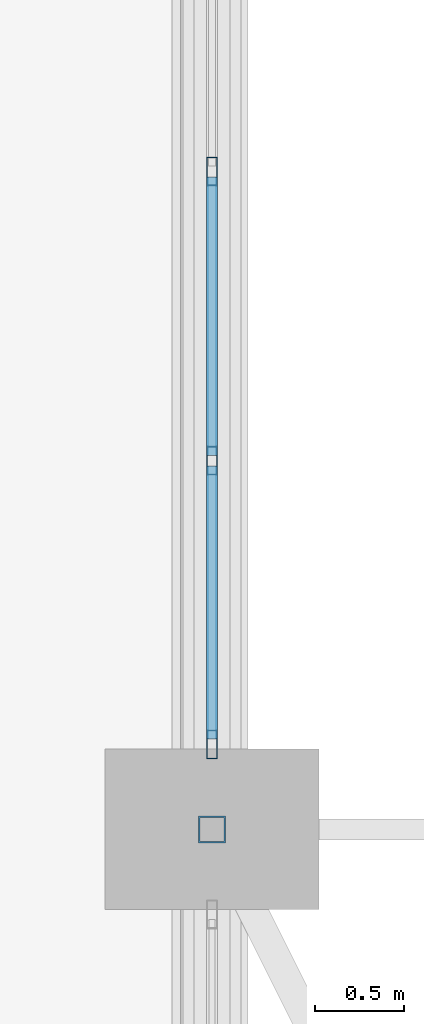
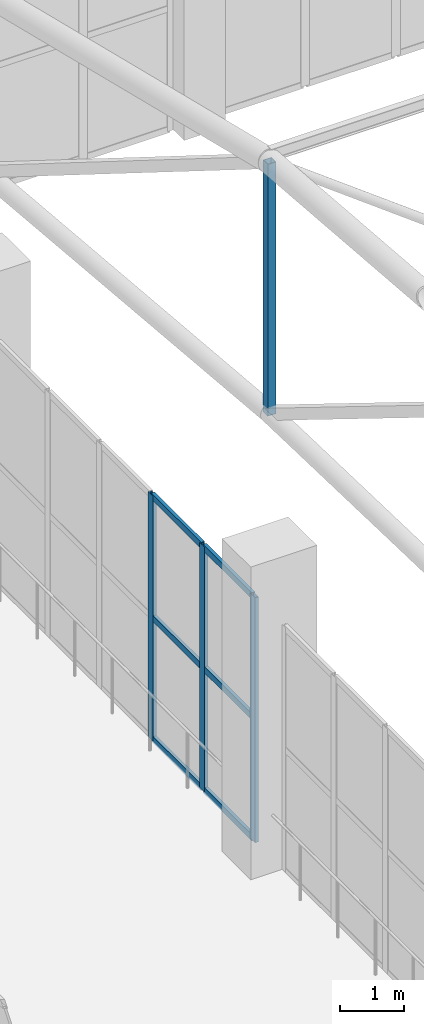
# One storey, part 119 of 223: 10 members, 1 element without a shape of its own.
"""IFC4 building model written with IfcOpenShell, lengths in metres."""

from ifc_helpers import new_model, si_unit, direction, frame, origin, origin_2d, place, context, subcontext, project, spatial, hollow_rectangle, extrude, material, layer, layer_set, material_profile, profile_set, type_object, element, aggregate, save


model = new_model("IFC4")

# Units and contexts
model_context = context("Model", 3, precision=1e-05, world=origin(), true_north=direction((0.0, 1.0)))
body_context = subcontext(model_context, "Body", "Model", "MODEL_VIEW")
ifc_project = project(units=[si_unit("LENGTHUNIT", "METRE"), si_unit("AREAUNIT", "SQUARE_METRE"), si_unit("VOLUMEUNIT", "CUBIC_METRE"), si_unit("PLANEANGLEUNIT", "RADIAN"), si_unit("MASSUNIT", "GRAM", prefix="KILO")], contexts=[model_context])

# Site, building, storey
site_placement = place(None, origin())
site = spatial("IfcSite", under=ifc_project, at=site_placement, CompositionType="ELEMENT")
building_placement = place(site_placement, origin())
building = spatial("IfcBuilding", under=site, at=building_placement, Name="Dornveld Trade and Exhibition Forum", CompositionType="ELEMENT")
storey_placement = place(building_placement, frame((0.0, 0.0, 6.0)))
storey = spatial("IfcBuildingStorey", under=building, at=storey_placement, Name="L01", CompositionType="ELEMENT", Elevation=6.0)

# Curtain wall, members
ifc_material_1 = material(Name="Dark-bronze anodised aluminium and low-E glass", Category="aluminium")
ifc_layer = layer(ifc_material_1, 0.18994140625)
ifc_layer_set = layer_set([ifc_layer], Name="Dark-bronze anodised aluminium and low-E glass")
curtain_wall_type = type_object("IfcCurtainWallType", Name="CW-SYS-16", PredefinedType="USERDEFINED", material=ifc_layer_set)
curtain_wall_placement = place(storey_placement, origin())
curtain_wall = element("IfcCurtainWall", 1, at=curtain_wall_placement, inside=storey, type_object=curtain_wall_type, Name="L01 unitised curtain wall 16", ObjectType="UNITISED_CURTAIN_WALL", PredefinedType="USERDEFINED")
ifc_material_2 = material(Name="Dark-bronze anodised aluminium", Category="aluminium")
ifc_material_profile_1 = material_profile(ifc_material_2, hollow_rectangle(XDim=0.06005859375, YDim=0.159912109375, WallThickness=0.00390625, at=origin_2d()), Name="RHS 160x60x4")
ifc_profile_set_1 = profile_set([ifc_material_profile_1], Name="Dark-bronze anodised aluminium")
member_type_1 = type_object("IfcMemberType", Name="CW-MUL-160", PredefinedType="MULLION", material=ifc_profile_set_1)
member_1_placement = place(storey_placement, frame((99.0, 147.689208984375, -0.00390625), z_axis=(0.0, 0.0, 1.0), x_axis=(1.0, 0.0, 0.0)))
member_1 = element("IfcMember", 2, at=member_1_placement, type_object=member_type_1, Name="CW-16 mullion 4", PredefinedType="MULLION", context=body_context, shape_type="SweptSolid", body=[
    extrude(hollow_rectangle(XDim=0.06005859375, YDim=0.159912109375, WallThickness=0.00390625, at=origin_2d()), origin(), (0.0, 0.0, 1.0), 4.703857421875),
])
member_2_placement = place(storey_placement, frame((99.0, 146.067626953125, -0.00390625), z_axis=(0.0, 0.0, 1.0), x_axis=(1.0, 0.0, 0.0)))
member_2 = element("IfcMember", 3, at=member_2_placement, type_object=member_type_1, Name="CW-16 mullion 5", PredefinedType="MULLION", context=body_context, shape_type="SweptSolid", body=[
    extrude(hollow_rectangle(XDim=0.06005859375, YDim=0.159912109375, WallThickness=0.00390625, at=origin_2d()), origin(), (0.0, 0.0, 1.0), 4.703857421875),
])
member_3_placement = place(storey_placement, frame((99.0, 144.47607421875, -0.00390625), z_axis=(0.0, 0.0, 1.0), x_axis=(1.0, 0.0, 0.0)))
member_3 = element("IfcMember", 4, at=member_3_placement, type_object=member_type_1, Name="CW-16 mullion 6", PredefinedType="MULLION", context=body_context, shape_type="SweptSolid", body=[
    extrude(hollow_rectangle(XDim=0.06005859375, YDim=0.159912109375, WallThickness=0.00390625, at=origin_2d()), origin(), (0.0, 0.0, 1.0), 4.703857421875),
])
ifc_material_3 = material(Name="Dark-bronze anodised aluminium", Category="aluminium")
ifc_material_profile_2 = material_profile(ifc_material_3, hollow_rectangle(XDim=0.06005859375, YDim=0.1201171875, WallThickness=0.00390625, at=origin_2d()), Name="RHS 120x60x4")
ifc_profile_set_2 = profile_set([ifc_material_profile_2], Name="Dark-bronze anodised aluminium")
member_type_2 = type_object("IfcMemberType", Name="CW-TRN-120", PredefinedType="USERDEFINED", material=ifc_profile_set_2)
member_4_placement = place(storey_placement, frame((99.0, 147.6591796875, 0.02587890625), z_axis=(0.0, -1.0, 0.0), x_axis=(1.0, 0.0, 0.0)))
member_4 = element("IfcMember", 5, at=member_4_placement, type_object=member_type_2, Name="CW-16 transom 4.1", ObjectType="TRANSOM", PredefinedType="USERDEFINED", context=body_context, shape_type="SweptSolid", body=[
    extrude(hollow_rectangle(XDim=0.06005859375, YDim=0.1201171875, WallThickness=0.00390625, at=origin_2d()), origin(), (0.0, 0.0, 1.0), 1.5615234375),
])
member_5_placement = place(storey_placement, frame((99.0, 147.6591796875, 2.347900390625), z_axis=(0.0, -1.0, 0.0), x_axis=(1.0, 0.0, 0.0)))
member_5 = element("IfcMember", 6, at=member_5_placement, type_object=member_type_2, Name="CW-16 transom 4.2", ObjectType="TRANSOM", PredefinedType="USERDEFINED", context=body_context, shape_type="SweptSolid", body=[
    extrude(hollow_rectangle(XDim=0.06005859375, YDim=0.1201171875, WallThickness=0.00390625, at=origin_2d()), origin(), (0.0, 0.0, 1.0), 1.5615234375),
])
member_6_placement = place(storey_placement, frame((99.0, 147.6591796875, 4.669921875), z_axis=(0.0, -1.0, 0.0), x_axis=(1.0, 0.0, 0.0)))
member_6 = element("IfcMember", 7, at=member_6_placement, type_object=member_type_2, Name="CW-16 transom 4.3", ObjectType="TRANSOM", PredefinedType="USERDEFINED", context=body_context, shape_type="SweptSolid", body=[
    extrude(hollow_rectangle(XDim=0.06005859375, YDim=0.1201171875, WallThickness=0.00390625, at=origin_2d()), origin(), (0.0, 0.0, 1.0), 1.5615234375),
])
member_7_placement = place(storey_placement, frame((99.0, 146.03759765625, 0.02587890625), z_axis=(0.0, -1.0, 0.0), x_axis=(1.0, 0.0, 0.0)))
member_7 = element("IfcMember", 8, at=member_7_placement, type_object=member_type_2, Name="CW-16 transom 5.1", ObjectType="TRANSOM", PredefinedType="USERDEFINED", context=body_context, shape_type="SweptSolid", body=[
    extrude(hollow_rectangle(XDim=0.06005859375, YDim=0.1201171875, WallThickness=0.00390625, at=origin_2d()), origin(), (0.0, 0.0, 1.0), 1.531494140625),
])
member_8_placement = place(storey_placement, frame((99.0, 146.03759765625, 2.347900390625), z_axis=(0.0, -1.0, 0.0), x_axis=(1.0, 0.0, 0.0)))
member_8 = element("IfcMember", 9, at=member_8_placement, type_object=member_type_2, Name="CW-16 transom 5.2", ObjectType="TRANSOM", PredefinedType="USERDEFINED", context=body_context, shape_type="SweptSolid", body=[
    extrude(hollow_rectangle(XDim=0.06005859375, YDim=0.1201171875, WallThickness=0.00390625, at=origin_2d()), origin(), (0.0, 0.0, 1.0), 1.531494140625),
])
member_9_placement = place(storey_placement, frame((99.0, 146.03759765625, 4.669921875), z_axis=(0.0, -1.0, 0.0), x_axis=(1.0, 0.0, 0.0)))
member_9 = element("IfcMember", 10, at=member_9_placement, type_object=member_type_2, Name="CW-16 transom 5.3", ObjectType="TRANSOM", PredefinedType="USERDEFINED", context=body_context, shape_type="SweptSolid", body=[
    extrude(hollow_rectangle(XDim=0.06005859375, YDim=0.1201171875, WallThickness=0.00390625, at=origin_2d()), origin(), (0.0, 0.0, 1.0), 1.531494140625),
])
aggregate(curtain_wall, [member_1, member_2, member_3, member_4, member_5, member_6, member_7, member_8, member_9])

# Member
ifc_material_4 = material(Name="Steel S355J2", Category="steel")
ifc_material_profile_3 = material_profile(ifc_material_4, hollow_rectangle(XDim=0.14990234375, YDim=0.14990234375, WallThickness=0.008056640625, at=origin_2d()), Name="SHS 150x150x8")
ifc_profile_set_3 = profile_set([ifc_material_profile_3], Name="Steel S355J2")
member_type_3 = type_object("IfcMemberType", Name="MEM-ARCH-STR", PredefinedType="STRUT", material=ifc_profile_set_3)
member_10_placement = place(storey_placement, frame((99.0, 144.0, 8.4833984375), z_axis=(0.0, 0.0, 1.0), x_axis=(1.0, 0.0, 0.0)))
element("IfcMember", 11, at=member_10_placement, inside=storey, type_object=member_type_3, Name="H1 truss 1 strut 5", PredefinedType="STRUT", context=body_context, shape_type="SweptSolid", body=[
    extrude(hollow_rectangle(XDim=0.14990234375, YDim=0.14990234375, WallThickness=0.008056640625, at=origin_2d()), origin(), (0.0, 0.0, 1.0), 4.833251953125),
])

save(model, "model.ifc")
